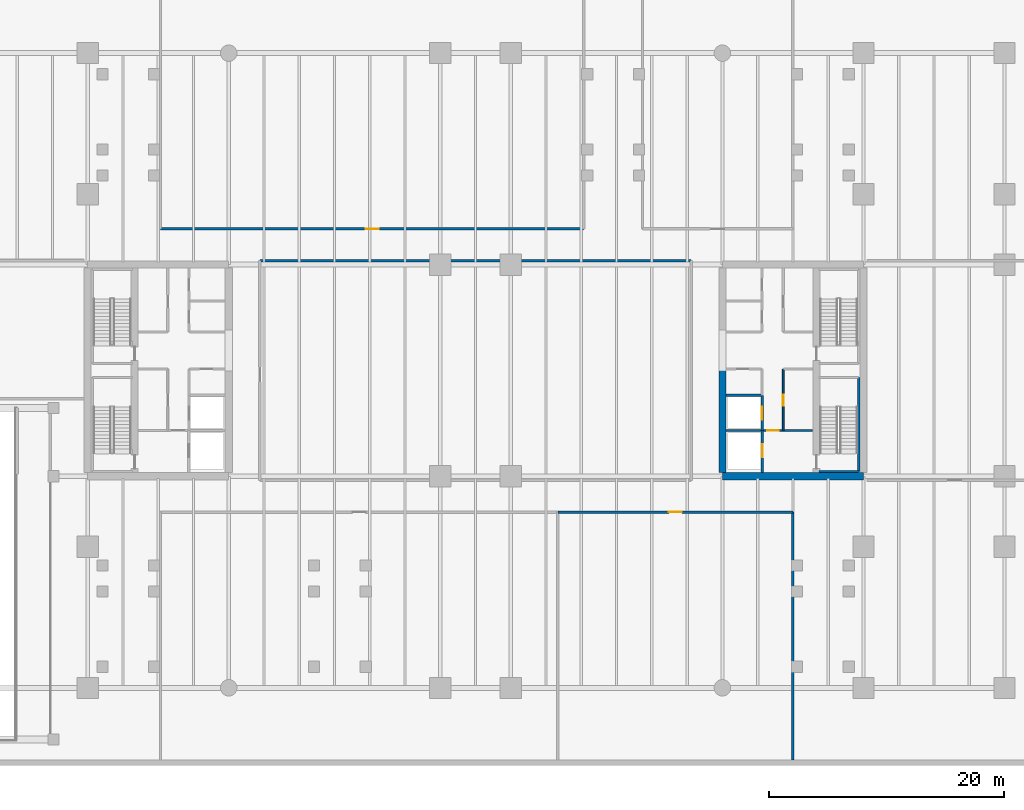
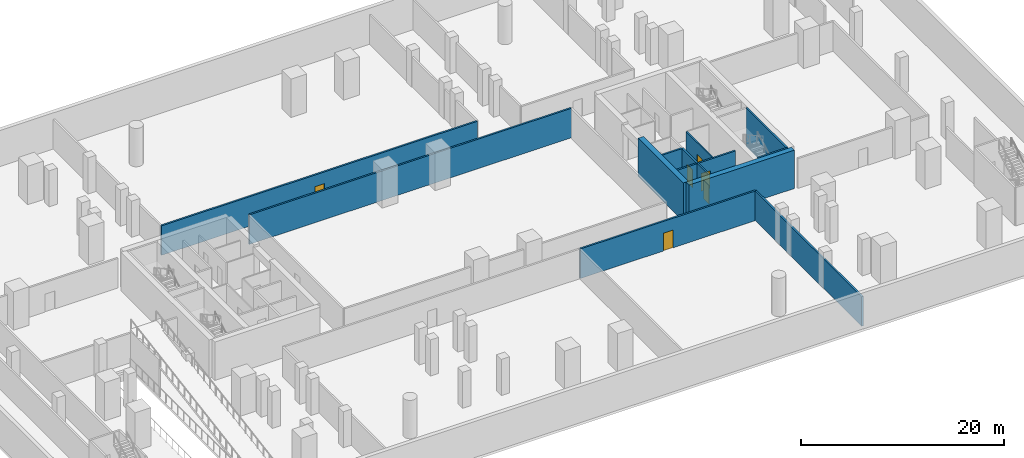
# One storey, part 7 of 13: 13 walls, 6 doors, 6 openings.
"""IFC4 building model written with IfcOpenShell, lengths in metres."""

import ifcopenshell
import ifcopenshell.guid

model = None  # the IFC model being written
_history = None  # IfcOwnerHistory: only IFC2X3 demands one
_inside = {}  # id of a spatial element -> (the spatial element, [elements in it])
_under = {}  # id of a project, library or spatial element -> (it, [spatial elements below it])
_declared = {}  # id of a project -> (the project, [libraries it declares])
_typed = {}  # id of a type object -> (the type object, [elements of that type])
_made_of = {}  # id of a material, layer set ... -> (it, [elements and type objects made of it])


def new_model(schema):
    """Start an empty IFC model of exactly this schema.

    Asked for "IFC4X3", IfcOpenShell would pick the latest addendum, in which some entities
    have other attributes; the version numbers below select the first issue.
    IFC2X3 requires an IfcOwnerHistory on every rooted entity: one is made here for all.
    """
    global model, _history
    if schema == "IFC4X3":
        model = ifcopenshell.file(schema_version=(4, 3, 0, 0))
    else:
        model = ifcopenshell.file(schema=schema)
    _inside.clear()
    _under.clear()
    _declared.clear()
    _typed.clear()
    _made_of.clear()
    _history = None
    if model.schema == "IFC2X3":
        org = make("IfcOrganization", Name="unknown")
        user = make(
            "IfcPersonAndOrganization",
            ThePerson=make("IfcPerson", FamilyName="unknown"),
            TheOrganization=org,
        )
        app = make(
            "IfcApplication",
            ApplicationDeveloper=org,
            Version="unknown",
            ApplicationFullName="unknown",
            ApplicationIdentifier="unknown",
        )
        _history = make(
            "IfcOwnerHistory",
            OwningUser=user,
            OwningApplication=app,
            ChangeAction="ADDED",
            CreationDate=0,
        )
    return model


def make(cls, **values):
    """One entity of the class cls with the attributes given. An attribute that is None is left unset."""
    return model.create_entity(
        cls, **{name: value for name, value in values.items() if value is not None}
    )


def rooted(cls, **values):
    """An entity with a GlobalId (a new one), such as an element, a storey or a relation."""
    return make(cls, GlobalId=ifcopenshell.guid.new(), OwnerHistory=_history, **values)


def si_unit(unit_type, name, prefix=None):
    """IfcSIUnit, for example si_unit("LENGTHUNIT", "METRE", prefix="MILLI")."""
    return make("IfcSIUnit", UnitType=unit_type, Prefix=prefix, Name=name)


def assignment(units):
    """IfcUnitAssignment: the units of a project."""
    return None if units is None else make("IfcUnitAssignment", Units=units)


def point(xyz):
    """IfcCartesianPoint."""
    return None if xyz is None else make("IfcCartesianPoint", Coordinates=xyz)


def direction(xyz):
    """IfcDirection."""
    return None if xyz is None else make("IfcDirection", DirectionRatios=xyz)


def frame(location, z_axis=None, x_axis=None):
    """IfcAxis2Placement3D, a coordinate frame: its origin and axes. An axis left out is left unset."""
    return make(
        "IfcAxis2Placement3D",
        Location=point(location),
        Axis=direction(z_axis),
        RefDirection=direction(x_axis),
    )


def frame_2d(location, x_axis=None):
    """IfcAxis2Placement2D, a coordinate frame in the plane: its origin and x axis."""
    return make(
        "IfcAxis2Placement2D", Location=point(location), RefDirection=direction(x_axis)
    )


def origin():
    """The frame at (0, 0, 0) with its axes left unset."""
    return frame((0.0, 0.0, 0.0))


def place(relative_to, where):
    """IfcLocalPlacement: puts the frame where relative to a parent placement (None: the world)."""
    return make(
        "IfcLocalPlacement", PlacementRelTo=relative_to, RelativePlacement=where
    )


def context(
    kind, dimensions, precision=None, world=None, true_north=None, identifier=None
):
    """IfcGeometricRepresentationContext, for example the 3D "Model" context."""
    return make(
        "IfcGeometricRepresentationContext",
        ContextIdentifier=identifier,
        ContextType=kind,
        CoordinateSpaceDimension=dimensions,
        Precision=precision,
        WorldCoordinateSystem=world,
        TrueNorth=true_north,
    )


def subcontext(parent, identifier, kind, view, scale=None):
    """IfcGeometricRepresentationSubContext, for example "Body" below "Model"."""
    return make(
        "IfcGeometricRepresentationSubContext",
        ContextIdentifier=identifier,
        ContextType=kind,
        ParentContext=parent,
        TargetScale=scale,
        TargetView=view,
    )


def project(units=None, contexts=None):
    """IfcProject with its units and contexts."""
    return rooted(
        "IfcProject",
        Name="project",
        RepresentationContexts=contexts,
        UnitsInContext=assignment(units),
    )


def spatial(cls, under=None, at=None, **own):
    """A site, building, storey or space (cls), placed at a placement, below another one or the project."""
    s = rooted(cls, ObjectPlacement=at, **own)
    if under is not None:
        _under.setdefault(under.id(), (under, []))[1].append(s)
    return s


def profile(cls, at=None, kind="AREA", **sizes):
    """A parametric profile (cls). Its sizes go by their IFC names, for example OverallWidth=200.0."""
    return make(cls, ProfileType=kind, Position=at, **sizes)


def rectangle(**sizes):
    """IfcRectangleProfileDef."""
    return profile("IfcRectangleProfileDef", **sizes)


def extrude(swept, where, along, depth):
    """IfcExtrudedAreaSolid: the profile swept, set in the frame where, extruded along a direction by depth."""
    return make(
        "IfcExtrudedAreaSolid",
        SweptArea=swept,
        Position=where,
        ExtrudedDirection=direction(along),
        Depth=depth,
    )


def shape(context_of_items, identifier, shape_type, items):
    """IfcShapeRepresentation: the items that make up one representation, for example the "Body"."""
    return make(
        "IfcShapeRepresentation",
        ContextOfItems=context_of_items,
        RepresentationIdentifier=identifier,
        RepresentationType=shape_type,
        Items=items,
    )


def material(Name=None, Category=None):
    """IfcMaterial."""
    return make("IfcMaterial", Name=Name, Category=Category)


def layer(
    of_material, thickness, ventilated=None, Name=None, Category=None, Priority=None
):
    """IfcMaterialLayer: one layer of a wall or slab, of a material (None: an air gap)."""
    return make(
        "IfcMaterialLayer",
        Material=of_material,
        LayerThickness=thickness,
        IsVentilated=ventilated,
        Name=Name,
        Category=Category,
        Priority=Priority,
    )


def layer_set(layers, Name=None):
    """IfcMaterialLayerSet."""
    return make("IfcMaterialLayerSet", MaterialLayers=layers, LayerSetName=Name)


def made_of(thing, what):
    """Note that an element or type object is made of a material, layer set ...; save() writes the relation."""
    if what is not None:
        _made_of.setdefault(what.id(), (what, []))[1].append(thing)
    return thing


def type_object(cls, material=None, **own):
    """A type object (cls), such as IfcWallType, which elements share."""
    return made_of(rooted(cls, **own), material)


def element(
    cls,
    number,
    at=None,
    inside=None,
    cuts=None,
    type_object=None,
    material=None,
    context=None,
    identifier="Body",
    shape_type=None,
    held_by="IfcProductDefinitionShape",
    body=None,
    shapes=None,
    **own,
):
    """One element of the class cls, such as IfcWall. Its Tag is "e" and its number.

    at: its placement. inside: the storey or other place that contains it. cuts: it is an
    opening in that element (IfcRelVoidsElement). A single representation is given by context,
    identifier, shape_type and body (its items); several are given by shapes. held_by: the class
    of the entity that holds the representations. save() writes the other relations.
    """
    e = rooted(cls, Tag="e%d" % number, ObjectPlacement=at, **own)
    if body is not None:
        shapes = [shape(context, identifier, shape_type, body)]
    if shapes is not None:
        e.Representation = make(held_by, Representations=shapes)
    if inside is not None:
        _inside.setdefault(inside.id(), (inside, []))[1].append(e)
    if cuts is not None:
        rooted(
            "IfcRelVoidsElement", RelatingBuildingElement=cuts, RelatedOpeningElement=e
        )
    if type_object is not None:
        _typed.setdefault(type_object.id(), (type_object, []))[1].append(e)
    return made_of(e, material)


def fill(opening, filler):
    """IfcRelFillsElement: the door or window that sits in an opening."""
    return rooted(
        "IfcRelFillsElement",
        RelatingOpeningElement=opening,
        RelatedBuildingElement=filler,
    )


def aggregate(whole, parts):
    """IfcRelAggregates: a whole, such as a stair, and the parts it consists of."""
    return rooted("IfcRelAggregates", RelatingObject=whole, RelatedObjects=parts)


def save(model, path):
    """Write the relations noted so far, then the file.

    IfcRelAggregates (storeys below a building ...), IfcRelContainedInSpatialStructure (elements
    in a storey), IfcRelDefinesByType, IfcRelAssociatesMaterial and IfcRelDeclares: one each for
    every whole, place, type object, material and project.
    """
    for whole, parts in _under.values():
        aggregate(whole, parts)
    for where, things in _inside.values():
        rooted(
            "IfcRelContainedInSpatialStructure",
            RelatedElements=things,
            RelatingStructure=where,
        )
    for kind, things in _typed.values():
        rooted("IfcRelDefinesByType", RelatedObjects=things, RelatingType=kind)
    for what, things in _made_of.values():
        rooted("IfcRelAssociatesMaterial", RelatedObjects=things, RelatingMaterial=what)
    for by, libraries in _declared.values():
        rooted("IfcRelDeclares", RelatingContext=by, RelatedDefinitions=libraries)
    model.write(path)


model = new_model("IFC4")

# Units and contexts
model_context = context("Model", 3, precision=1e-05, world=origin(), true_north=direction((0.0, 1.0)))
body_context = subcontext(model_context, "Body", "Model", "MODEL_VIEW")
ifc_project = project(units=[si_unit("LENGTHUNIT", "METRE"), si_unit("AREAUNIT", "SQUARE_METRE"), si_unit("VOLUMEUNIT", "CUBIC_METRE"), si_unit("PLANEANGLEUNIT", "RADIAN"), si_unit("MASSUNIT", "GRAM", prefix="KILO")], contexts=[model_context])

# Site, building, storey
site_placement = place(None, origin())
site = spatial("IfcSite", under=ifc_project, at=site_placement, CompositionType="ELEMENT")
building_placement = place(site_placement, origin())
building = spatial("IfcBuilding", under=site, at=building_placement, Name="Tanjung Sevakor Pilgrim Tower", CompositionType="ELEMENT")
storey_placement = place(building_placement, frame((0.0, 0.0, -4.6201171875)))
storey = spatial("IfcBuildingStorey", under=building, at=storey_placement, Name="B01", CompositionType="ELEMENT", Elevation=-4.6201171875)

# Walls
ifc_material_1 = material(Name="Concrete C60/75", Category="concrete")
ifc_layer_1 = layer(ifc_material_1, 0.60009765625)
ifc_layer_set_1 = layer_set([ifc_layer_1], Name="WALL-CW-600B")
wall_type_1 = type_object("IfcWallType", Name="WALL-CW-600B", PredefinedType="SHEAR", material=ifc_layer_set_1)
wall_1_placement = place(storey_placement, frame((78.0, 24.60009765625, 0.0), z_axis=(0.0, 0.0, 1.0), x_axis=(1.0, 0.0, 0.0)))
element("IfcWall", 1, at=wall_1_placement, inside=storey, type_object=wall_type_1, Name="B01 E Core South Shear Wall", PredefinedType="SHEAR", context=body_context, shape_type="SweptSolid", body=[
    extrude(rectangle(XDim=12.0, YDim=0.60009765625, at=frame_2d((6.0, 0.0))), origin(), (0.0, 0.0, 1.0), 4.6201171875),
])
wall_2_placement = place(storey_placement, frame((78.0, 24.89990234375, 0.0), z_axis=(0.0, 0.0, 1.0), x_axis=(0.0, 1.0, 0.0)))
element("IfcWall", 2, at=wall_2_placement, inside=storey, type_object=wall_type_1, Name="B01 E Core Inner Shear Wall South", PredefinedType="SHEAR", context=body_context, shape_type="SweptSolid", body=[
    extrude(rectangle(XDim=8.900146484375, YDim=0.60009765625, at=frame_2d((4.4501953125, 0.0))), origin(), (0.0, 0.0, 1.0), 4.6201171875),
])

# Wall, opening, door
ifc_material_2 = material(Name="Concrete C40/50", Category="concrete")
ifc_layer_2 = layer(ifc_material_2, 0.14990234375)
ifc_layer_set_2 = layer_set([ifc_layer_2], Name="WT-COMP-150")
wall_type_2 = type_object("IfcWallType", Name="WT-COMP-150", PredefinedType="SOLIDWALL", material=ifc_layer_set_2)
wall_3_placement = place(storey_placement, frame((83.179931640625, 28.5, 0.0), z_axis=(0.0, 0.0, 1.0), x_axis=(0.0, 1.0, 0.0)))
wall_3 = element("IfcWall", 3, at=wall_3_placement, inside=storey, type_object=wall_type_2, Name="B01 Partition IW-B01-017", PredefinedType="SOLIDWALL", context=body_context, shape_type="SweptSolid", body=[
    extrude(rectangle(XDim=5.219970703125, YDim=0.14990234375, at=frame_2d((2.60986328125, 0.0))), origin(), (0.0, 0.0, 1.0), 3.56005859375),
])
opening_1_placement = place(wall_3_placement, frame((2.10009765625, 0.0, 0.0)))
opening_1 = element("IfcOpeningElement", 4, at=opening_1_placement, cuts=wall_3, Name="Opening ID-FD2", PredefinedType="OPENING", context=body_context, shape_type="SweptSolid", body=[
    extrude(rectangle(XDim=0.949951171875, YDim=2.14990234375, at=frame_2d((0.47509765625, 1.074951171875))), frame((0.0, 0.0849609375, 0.0), z_axis=(0.0, -1.0, 0.0), x_axis=(1.0, 0.0, 0.0)), (0.0, 0.0, 1.0), 0.169921875),
])
ifc_material_3 = material(Name="Fire-Rated Timber", Category="wood")
door_type_1 = type_object("IfcDoorType", Name="DT-FIRE-950", OperationType="NOTDEFINED", PredefinedType="DOOR", material=ifc_material_3)
door_1_placement = place(opening_1_placement, origin())
door_1 = element("IfcDoor", 5, at=door_1_placement, inside=storey, type_object=door_type_1, Name="B01 Housekeeping Pantry Door", OperationType="SINGLE_SWING_LEFT", OverallHeight=2.14990234375, OverallWidth=0.949951171875, PredefinedType="DOOR", context=body_context, shape_type="SweptSolid", body=[
    extrude(rectangle(XDim=0.949951171875, YDim=2.14990234375, at=frame_2d((0.47509765625, 1.074951171875))), frame((0.0, 0.02490234375, 0.0), z_axis=(0.0, -1.0, 0.0), x_axis=(1.0, 0.0, 0.0)), (0.0, 0.0, 1.0), 0.050048828125),
])
fill(opening_1, door_1)

# Walls
ifc_material_4 = material(Name="Concrete C40/50", Category="concrete")
ifc_layer_3 = layer(ifc_material_4, 0.199951171875)
ifc_layer_set_3 = layer_set([ifc_layer_3], Name="WT-FIRE-200")
wall_type_3 = type_object("IfcWallType", Name="WT-FIRE-200", PredefinedType="SOLIDWALL", material=ifc_layer_set_3)
wall_4_placement = place(storey_placement, frame((86.199951171875, 25.0, 0.0), z_axis=(0.0, 0.0, 1.0), x_axis=(1.0, 0.0, 0.0)))
element("IfcWall", 6, at=wall_4_placement, inside=storey, type_object=wall_type_3, Name="B01 TS-E1 Shaft Wall 1", PredefinedType="SOLIDWALL", context=body_context, shape_type="SweptSolid", body=[
    extrude(rectangle(XDim=3.400146484375, YDim=0.199951171875, at=frame_2d((1.7001953125, 0.0))), origin(), (0.0, 0.0, 1.0), 4.6201171875),
])
wall_5_placement = place(storey_placement, frame((89.60009765625, 25.0, 0.0), z_axis=(0.0, 0.0, 1.0), x_axis=(0.0, 1.0, 0.0)))
element("IfcWall", 7, at=wall_5_placement, inside=storey, type_object=wall_type_3, Name="B01 TS-E1 Shaft Wall 2", PredefinedType="SOLIDWALL", context=body_context, shape_type="SweptSolid", body=[
    extrude(rectangle(XDim=8.0, YDim=0.199951171875, at=frame_2d((4.0, 0.0))), origin(), (0.0, 0.0, 1.0), 4.6201171875),
])

# Wall, opening, door
ifc_material_5 = material(Name="Concrete C40/50", Category="concrete")
ifc_layer_4 = layer(ifc_material_5, 0.199951171875)
ifc_layer_set_4 = layer_set([ifc_layer_4], Name="WT-FPRT-200")
wall_type_4 = type_object("IfcWallType", Name="WT-FPRT-200", PredefinedType="SOLIDWALL", material=ifc_layer_set_4)
wall_6_placement = place(storey_placement, frame((81.39990234375, 24.919921875, 0.0), z_axis=(0.0, 0.0, 1.0), x_axis=(0.0, 1.0, 0.0)))
wall_6 = element("IfcWall", 8, at=wall_6_placement, inside=storey, type_object=wall_type_4, Name="B01 Partition IW-B01-014", PredefinedType="SOLIDWALL", context=body_context, shape_type="SweptSolid", body=[
    extrude(rectangle(XDim=3.580078125, YDim=0.199951171875, at=frame_2d((1.7900390625, 0.0))), origin(), (0.0, 0.0, 1.0), 3.56005859375),
])
opening_2_placement = place(wall_6_placement, frame((1.300048828125, 0.0, 0.0)))
opening_2 = element("IfcOpeningElement", 9, at=opening_2_placement, cuts=wall_6, Name="Opening LD-1100", PredefinedType="OPENING", context=body_context, shape_type="SweptSolid", body=[
    extrude(rectangle(XDim=1.10009765625, YDim=2.199951171875, at=frame_2d((0.550048828125, 1.10009765625))), frame((0.0, 0.10986328125, 0.0), z_axis=(0.0, -1.0, 0.0), x_axis=(1.0, 0.0, 0.0)), (0.0, 0.0, 1.0), 0.219970703125),
])
ifc_material_6 = material(Name="Brushed Stainless Steel S355J2", Category="steel")
door_type_2 = type_object("IfcDoorType", Name="DT-LIFT-1100", OperationType="SLIDING_TO_LEFT", PredefinedType="DOOR", material=ifc_material_6)
door_2_placement = place(opening_2_placement, origin())
door_2 = element("IfcDoor", 10, at=door_2_placement, inside=storey, type_object=door_type_2, Name="LD-FL-E", OperationType="SLIDING_TO_LEFT", OverallHeight=2.199951171875, OverallWidth=1.10009765625, PredefinedType="DOOR", context=body_context, shape_type="SweptSolid", body=[
    extrude(rectangle(XDim=1.10009765625, YDim=2.199951171875, at=frame_2d((0.550048828125, 1.10009765625))), frame((0.0, 0.02490234375, 0.0), z_axis=(0.0, -1.0, 0.0), x_axis=(1.0, 0.0, 0.0)), (0.0, 0.0, 1.0), 0.050048828125),
])
fill(opening_2, door_2)

wall_7_placement = place(storey_placement, frame((78.320068359375, 28.5, 0.0), z_axis=(0.0, 0.0, 1.0), x_axis=(1.0, 0.0, 0.0)))
wall_7 = element("IfcWall", 11, at=wall_7_placement, inside=storey, type_object=wall_type_4, Name="B01 Partition IW-B01-015", PredefinedType="SOLIDWALL", context=body_context, shape_type="SweptSolid", body=[
    extrude(rectangle(XDim=7.35986328125, YDim=0.199951171875, at=frame_2d((3.679931640625, 0.0))), origin(), (0.0, 0.0, 1.0), 3.56005859375),
])
opening_3_placement = place(wall_7_placement, frame((3.47998046875, 0.0, 0.0)))
opening_3 = element("IfcOpeningElement", 12, at=opening_3_placement, cuts=wall_7, Name="Opening ID-FD1", PredefinedType="OPENING", context=body_context, shape_type="SweptSolid", body=[
    extrude(rectangle(XDim=1.0, YDim=2.14990234375, at=frame_2d((0.5, 1.074951171875))), frame((0.0, 0.10986328125, 0.0), z_axis=(0.0, -1.0, 0.0), x_axis=(1.0, 0.0, 0.0)), (0.0, 0.0, 1.0), 0.219970703125),
])
ifc_material_7 = material(Name="Fire-Rated Steel S355J2", Category="steel")
door_type_3 = type_object("IfcDoorType", Name="DT-FIRE-1000", OperationType="NOTDEFINED", PredefinedType="DOOR", material=ifc_material_7)
door_3_placement = place(opening_3_placement, origin())
door_3 = element("IfcDoor", 13, at=door_3_placement, inside=storey, type_object=door_type_3, Name="Fire Lobby Door E", OperationType="SINGLE_SWING_RIGHT", OverallHeight=2.14990234375, OverallWidth=1.0, PredefinedType="DOOR", context=body_context, shape_type="SweptSolid", body=[
    extrude(rectangle(XDim=1.0, YDim=2.14990234375, at=frame_2d((0.5, 1.074951171875))), frame((0.0, 0.02490234375, 0.0), z_axis=(0.0, -1.0, 0.0), x_axis=(1.0, 0.0, 0.0)), (0.0, 0.0, 1.0), 0.050048828125),
])
fill(opening_3, door_3)

# Wall
wall_8_placement = place(storey_placement, frame((78.320068359375, 31.47998046875, 0.0), z_axis=(0.0, 0.0, 1.0), x_axis=(1.0, 0.0, 0.0)))
element("IfcWall", 14, at=wall_8_placement, inside=storey, type_object=wall_type_4, Name="B01 Partition IW-B01-018", PredefinedType="SOLIDWALL", context=body_context, shape_type="SweptSolid", body=[
    extrude(rectangle(XDim=3.0, YDim=0.199951171875, at=frame_2d((1.5, 0.0))), origin(), (0.0, 0.0, 1.0), 3.56005859375),
])

# Wall, opening, door
wall_9_placement = place(storey_placement, frame((81.3798828125, 28.5, 0.0), z_axis=(0.0, 0.0, 1.0), x_axis=(0.0, 1.0, 0.0)))
wall_9 = element("IfcWall", 15, at=wall_9_placement, inside=storey, type_object=wall_type_4, Name="B01 Partition IW-B01-019", PredefinedType="SOLIDWALL", context=body_context, shape_type="SweptSolid", body=[
    extrude(rectangle(XDim=2.97998046875, YDim=0.199951171875, at=frame_2d((1.489990234375, 0.0))), origin(), (0.0, 0.0, 1.0), 3.56005859375),
])
opening_4_placement = place(wall_9_placement, frame((0.89990234375, 0.0, 0.0)))
opening_4 = element("IfcOpeningElement", 16, at=opening_4_placement, cuts=wall_9, Name="Opening LD-1100", PredefinedType="OPENING", context=body_context, shape_type="SweptSolid", body=[
    extrude(rectangle(XDim=1.10009765625, YDim=2.199951171875, at=frame_2d((0.550048828125, 1.10009765625))), frame((0.0, 0.10986328125, 0.0), z_axis=(0.0, -1.0, 0.0), x_axis=(1.0, 0.0, 0.0)), (0.0, 0.0, 1.0), 0.219970703125),
])
door_4_placement = place(opening_4_placement, origin())
door_4 = element("IfcDoor", 17, at=door_4_placement, inside=storey, type_object=door_type_2, Name="LD-SLP-E", OperationType="SLIDING_TO_LEFT", OverallHeight=2.199951171875, OverallWidth=1.10009765625, PredefinedType="DOOR", context=body_context, shape_type="SweptSolid", body=[
    extrude(rectangle(XDim=1.10009765625, YDim=2.199951171875, at=frame_2d((0.550048828125, 1.10009765625))), frame((0.0, 0.02490234375, 0.0), z_axis=(0.0, -1.0, 0.0), x_axis=(1.0, 0.0, 0.0)), (0.0, 0.0, 1.0), 0.050048828125),
])
fill(opening_4, door_4)

wall_10_placement = place(storey_placement, frame((64.0, 21.550048828125, 0.0), z_axis=(0.0, 0.0, 1.0), x_axis=(1.0, 0.0, 0.0)))
wall_10 = element("IfcWall", 18, at=wall_10_placement, inside=storey, type_object=wall_type_4, Name="B01 Partition IW-B01-038", PredefinedType="SOLIDWALL", context=body_context, shape_type="SweptSolid", body=[
    extrude(rectangle(XDim=20.0, YDim=0.199951171875, at=frame_2d((10.0, 0.0))), origin(), (0.0, 0.0, 1.0), 3.56005859375),
])
opening_5_placement = place(wall_10_placement, frame((9.449951171875, 0.0, 0.0)))
opening_5 = element("IfcOpeningElement", 19, at=opening_5_placement, cuts=wall_10, Name="Opening ID-FD0", PredefinedType="OPENING", context=body_context, shape_type="SweptSolid", body=[
    extrude(rectangle(XDim=1.10009765625, YDim=2.14990234375, at=frame_2d((0.550048828125, 1.074951171875))), frame((0.0, 0.10986328125, 0.0), z_axis=(0.0, -1.0, 0.0), x_axis=(1.0, 0.0, 0.0)), (0.0, 0.0, 1.0), 0.219970703125),
])
ifc_material_8 = material(Name="Fire-Rated Steel S355J2", Category="steel")
door_type_4 = type_object("IfcDoorType", Name="DT-FIRE-1100", OperationType="NOTDEFINED", PredefinedType="DOOR", material=ifc_material_8)
door_5_placement = place(opening_5_placement, origin())
door_5 = element("IfcDoor", 20, at=door_5_placement, inside=storey, type_object=door_type_4, Name="B01 Coach Bay Fire Door", OperationType="SINGLE_SWING_RIGHT", OverallHeight=2.14990234375, OverallWidth=1.10009765625, PredefinedType="DOOR", context=body_context, shape_type="SweptSolid", body=[
    extrude(rectangle(XDim=1.10009765625, YDim=2.14990234375, at=frame_2d((0.550048828125, 1.074951171875))), frame((0.0, 0.02490234375, 0.0), z_axis=(0.0, -1.0, 0.0), x_axis=(1.0, 0.0, 0.0)), (0.0, 0.0, 1.0), 0.050048828125),
])
fill(opening_5, door_5)

# Walls
wall_11_placement = place(storey_placement, frame((84.0, 0.449951171875, 0.0), z_axis=(0.0, 0.0, 1.0), x_axis=(0.0, 1.0, 0.0)))
element("IfcWall", 21, at=wall_11_placement, inside=storey, type_object=wall_type_4, Name="B01 Partition IW-B01-039", PredefinedType="SOLIDWALL", context=body_context, shape_type="SweptSolid", body=[
    extrude(rectangle(XDim=21.10009765625, YDim=0.199951171875, at=frame_2d((10.550048828125, 0.0))), origin(), (0.0, 0.0, 1.0), 3.56005859375),
])
wall_12_placement = place(storey_placement, frame((38.64990234375, 42.949951171875, 0.0), z_axis=(0.0, 0.0, 1.0), x_axis=(1.0, 0.0, 0.0)))
element("IfcWall", 22, at=wall_12_placement, inside=storey, type_object=wall_type_4, Name="B01 Partition IW-B01-046", PredefinedType="SOLIDWALL", context=body_context, shape_type="SweptSolid", body=[
    extrude(rectangle(XDim=36.7001953125, YDim=0.199951171875, at=frame_2d((18.35009765625, 0.0))), origin(), (0.0, 0.0, 1.0), 3.56005859375),
])

# Wall, opening, door
wall_13_placement = place(storey_placement, frame((30.199951171875, 45.64990234375, 0.0), z_axis=(0.0, 0.0, 1.0), x_axis=(1.0, 0.0, 0.0)))
wall_13 = element("IfcWall", 23, at=wall_13_placement, inside=storey, type_object=wall_type_4, Name="B01 Partition IW-B01-049", PredefinedType="SOLIDWALL", context=body_context, shape_type="SweptSolid", body=[
    extrude(rectangle(XDim=36.0, YDim=0.199951171875, at=frame_2d((18.0, 0.0))), origin(), (0.0, 0.0, 1.0), 3.56005859375),
])
opening_6_placement = place(wall_13_placement, frame((17.449951171875, 0.0, 0.0)))
opening_6 = element("IfcOpeningElement", 24, at=opening_6_placement, cuts=wall_13, Name="Opening ID-FD0", PredefinedType="OPENING", context=body_context, shape_type="SweptSolid", body=[
    extrude(rectangle(XDim=1.10009765625, YDim=2.14990234375, at=frame_2d((0.550048828125, 1.074951171875))), frame((0.0, 0.10986328125, 0.0), z_axis=(0.0, -1.0, 0.0), x_axis=(1.0, 0.0, 0.0)), (0.0, 0.0, 1.0), 0.219970703125),
])
door_6_placement = place(opening_6_placement, origin())
door_6 = element("IfcDoor", 25, at=door_6_placement, inside=storey, type_object=door_type_4, Name="B01 Loading Dock Door", OperationType="SINGLE_SWING_RIGHT", OverallHeight=2.14990234375, OverallWidth=1.10009765625, PredefinedType="DOOR", context=body_context, shape_type="SweptSolid", body=[
    extrude(rectangle(XDim=1.10009765625, YDim=2.14990234375, at=frame_2d((0.550048828125, 1.074951171875))), frame((0.0, 0.02490234375, 0.0), z_axis=(0.0, -1.0, 0.0), x_axis=(1.0, 0.0, 0.0)), (0.0, 0.0, 1.0), 0.050048828125),
])
fill(opening_6, door_6)

save(model, "model.ifc")
